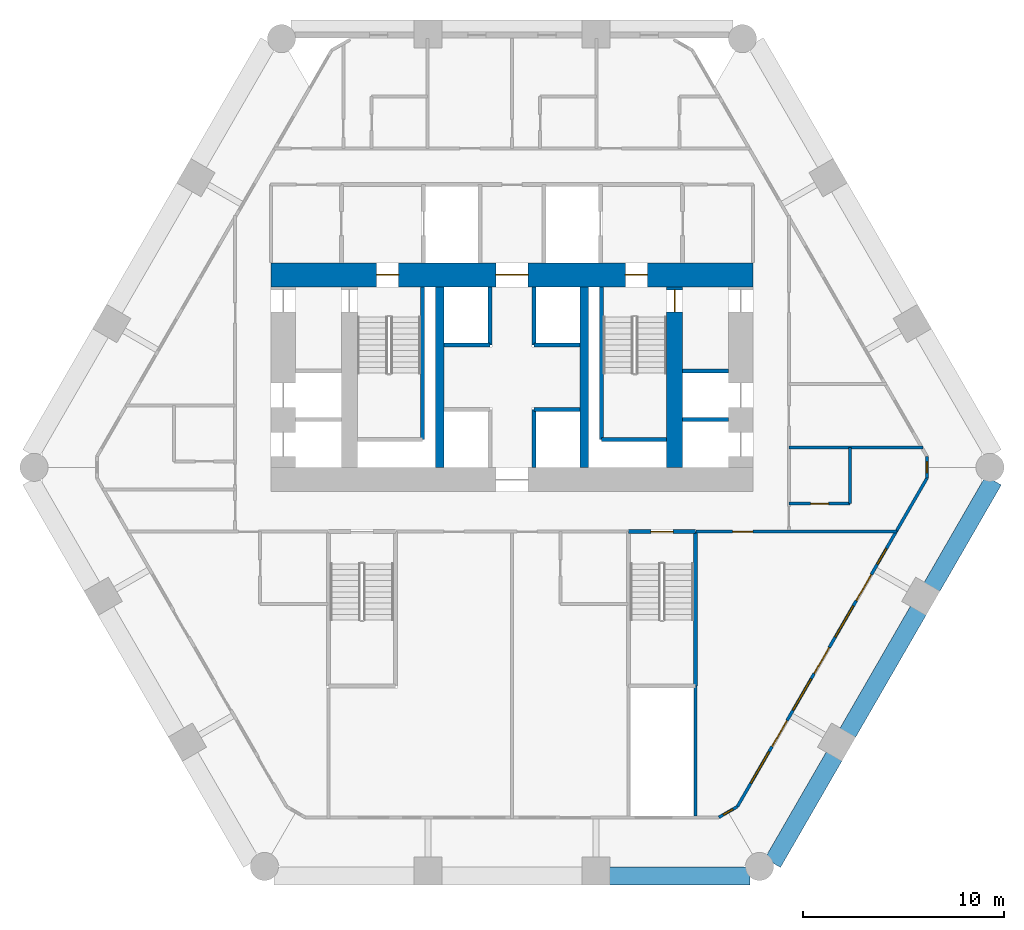
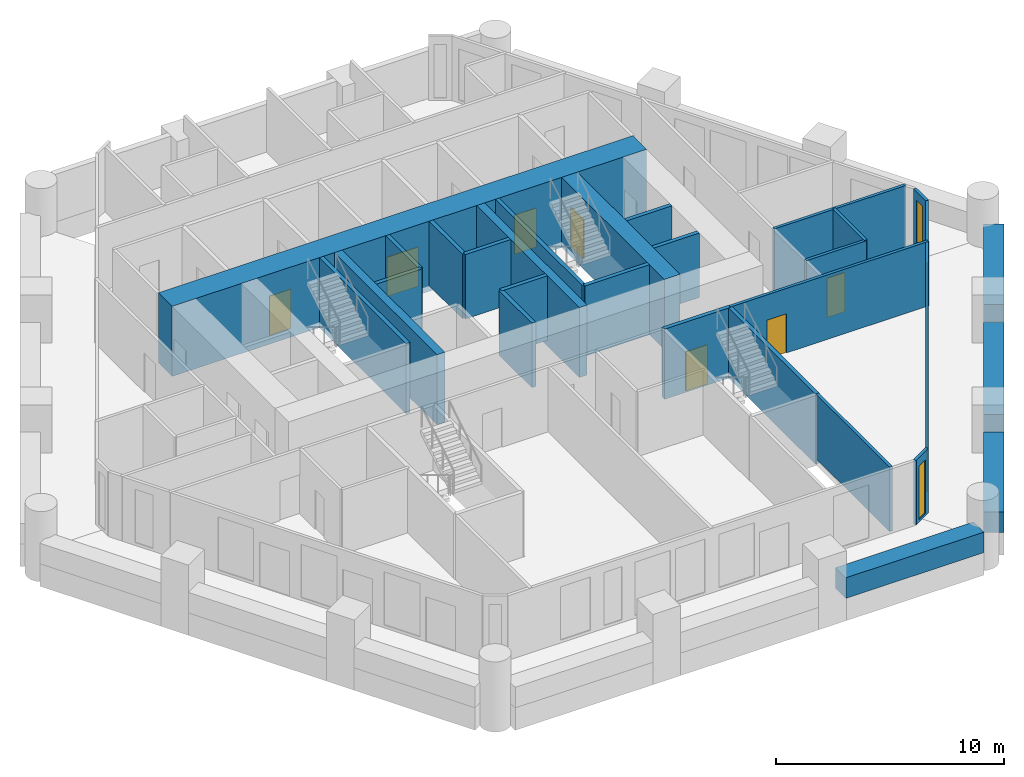
# One storey, part 4 of 8: 29 walls, 10 doors, 6 windows, 16 openings.
"""IFC4 building model written with IfcOpenShell, lengths in metres."""

import ifcopenshell
import ifcopenshell.guid

model = None  # the IFC model being written
_history = None  # IfcOwnerHistory: only IFC2X3 demands one
_inside = {}  # id of a spatial element -> (the spatial element, [elements in it])
_under = {}  # id of a project, library or spatial element -> (it, [spatial elements below it])
_declared = {}  # id of a project -> (the project, [libraries it declares])
_typed = {}  # id of a type object -> (the type object, [elements of that type])
_made_of = {}  # id of a material, layer set ... -> (it, [elements and type objects made of it])


def new_model(schema):
    """Start an empty IFC model of exactly this schema.

    Asked for "IFC4X3", IfcOpenShell would pick the latest addendum, in which some entities
    have other attributes; the version numbers below select the first issue.
    IFC2X3 requires an IfcOwnerHistory on every rooted entity: one is made here for all.
    """
    global model, _history
    if schema == "IFC4X3":
        model = ifcopenshell.file(schema_version=(4, 3, 0, 0))
    else:
        model = ifcopenshell.file(schema=schema)
    _inside.clear()
    _under.clear()
    _declared.clear()
    _typed.clear()
    _made_of.clear()
    _history = None
    if model.schema == "IFC2X3":
        org = make("IfcOrganization", Name="unknown")
        user = make(
            "IfcPersonAndOrganization",
            ThePerson=make("IfcPerson", FamilyName="unknown"),
            TheOrganization=org,
        )
        app = make(
            "IfcApplication",
            ApplicationDeveloper=org,
            Version="unknown",
            ApplicationFullName="unknown",
            ApplicationIdentifier="unknown",
        )
        _history = make(
            "IfcOwnerHistory",
            OwningUser=user,
            OwningApplication=app,
            ChangeAction="ADDED",
            CreationDate=0,
        )
    return model


def make(cls, **values):
    """One entity of the class cls with the attributes given. An attribute that is None is left unset."""
    return model.create_entity(
        cls, **{name: value for name, value in values.items() if value is not None}
    )


def rooted(cls, **values):
    """An entity with a GlobalId (a new one), such as an element, a storey or a relation."""
    return make(cls, GlobalId=ifcopenshell.guid.new(), OwnerHistory=_history, **values)


def si_unit(unit_type, name, prefix=None):
    """IfcSIUnit, for example si_unit("LENGTHUNIT", "METRE", prefix="MILLI")."""
    return make("IfcSIUnit", UnitType=unit_type, Prefix=prefix, Name=name)


def assignment(units):
    """IfcUnitAssignment: the units of a project."""
    return None if units is None else make("IfcUnitAssignment", Units=units)


def point(xyz):
    """IfcCartesianPoint."""
    return None if xyz is None else make("IfcCartesianPoint", Coordinates=xyz)


def direction(xyz):
    """IfcDirection."""
    return None if xyz is None else make("IfcDirection", DirectionRatios=xyz)


def frame(location, z_axis=None, x_axis=None):
    """IfcAxis2Placement3D, a coordinate frame: its origin and axes. An axis left out is left unset."""
    return make(
        "IfcAxis2Placement3D",
        Location=point(location),
        Axis=direction(z_axis),
        RefDirection=direction(x_axis),
    )


def frame_2d(location, x_axis=None):
    """IfcAxis2Placement2D, a coordinate frame in the plane: its origin and x axis."""
    return make(
        "IfcAxis2Placement2D", Location=point(location), RefDirection=direction(x_axis)
    )


def origin():
    """The frame at (0, 0, 0) with its axes left unset."""
    return frame((0.0, 0.0, 0.0))


def place(relative_to, where):
    """IfcLocalPlacement: puts the frame where relative to a parent placement (None: the world)."""
    return make(
        "IfcLocalPlacement", PlacementRelTo=relative_to, RelativePlacement=where
    )


def context(
    kind, dimensions, precision=None, world=None, true_north=None, identifier=None
):
    """IfcGeometricRepresentationContext, for example the 3D "Model" context."""
    return make(
        "IfcGeometricRepresentationContext",
        ContextIdentifier=identifier,
        ContextType=kind,
        CoordinateSpaceDimension=dimensions,
        Precision=precision,
        WorldCoordinateSystem=world,
        TrueNorth=true_north,
    )


def subcontext(parent, identifier, kind, view, scale=None):
    """IfcGeometricRepresentationSubContext, for example "Body" below "Model"."""
    return make(
        "IfcGeometricRepresentationSubContext",
        ContextIdentifier=identifier,
        ContextType=kind,
        ParentContext=parent,
        TargetScale=scale,
        TargetView=view,
    )


def project(units=None, contexts=None):
    """IfcProject with its units and contexts."""
    return rooted(
        "IfcProject",
        Name="project",
        RepresentationContexts=contexts,
        UnitsInContext=assignment(units),
    )


def spatial(cls, under=None, at=None, **own):
    """A site, building, storey or space (cls), placed at a placement, below another one or the project."""
    s = rooted(cls, ObjectPlacement=at, **own)
    if under is not None:
        _under.setdefault(under.id(), (under, []))[1].append(s)
    return s


def profile(cls, at=None, kind="AREA", **sizes):
    """A parametric profile (cls). Its sizes go by their IFC names, for example OverallWidth=200.0."""
    return make(cls, ProfileType=kind, Position=at, **sizes)


def rectangle(**sizes):
    """IfcRectangleProfileDef."""
    return profile("IfcRectangleProfileDef", **sizes)


def extrude(swept, where, along, depth):
    """IfcExtrudedAreaSolid: the profile swept, set in the frame where, extruded along a direction by depth."""
    return make(
        "IfcExtrudedAreaSolid",
        SweptArea=swept,
        Position=where,
        ExtrudedDirection=direction(along),
        Depth=depth,
    )


def shape(context_of_items, identifier, shape_type, items):
    """IfcShapeRepresentation: the items that make up one representation, for example the "Body"."""
    return make(
        "IfcShapeRepresentation",
        ContextOfItems=context_of_items,
        RepresentationIdentifier=identifier,
        RepresentationType=shape_type,
        Items=items,
    )


def material(Name=None, Category=None):
    """IfcMaterial."""
    return make("IfcMaterial", Name=Name, Category=Category)


def layer(
    of_material, thickness, ventilated=None, Name=None, Category=None, Priority=None
):
    """IfcMaterialLayer: one layer of a wall or slab, of a material (None: an air gap)."""
    return make(
        "IfcMaterialLayer",
        Material=of_material,
        LayerThickness=thickness,
        IsVentilated=ventilated,
        Name=Name,
        Category=Category,
        Priority=Priority,
    )


def layer_set(layers, Name=None):
    """IfcMaterialLayerSet."""
    return make("IfcMaterialLayerSet", MaterialLayers=layers, LayerSetName=Name)


def made_of(thing, what):
    """Note that an element or type object is made of a material, layer set ...; save() writes the relation."""
    if what is not None:
        _made_of.setdefault(what.id(), (what, []))[1].append(thing)
    return thing


def type_object(cls, material=None, **own):
    """A type object (cls), such as IfcWallType, which elements share."""
    return made_of(rooted(cls, **own), material)


def element(
    cls,
    number,
    at=None,
    inside=None,
    cuts=None,
    type_object=None,
    material=None,
    context=None,
    identifier="Body",
    shape_type=None,
    held_by="IfcProductDefinitionShape",
    body=None,
    shapes=None,
    **own,
):
    """One element of the class cls, such as IfcWall. Its Tag is "e" and its number.

    at: its placement. inside: the storey or other place that contains it. cuts: it is an
    opening in that element (IfcRelVoidsElement). A single representation is given by context,
    identifier, shape_type and body (its items); several are given by shapes. held_by: the class
    of the entity that holds the representations. save() writes the other relations.
    """
    e = rooted(cls, Tag="e%d" % number, ObjectPlacement=at, **own)
    if body is not None:
        shapes = [shape(context, identifier, shape_type, body)]
    if shapes is not None:
        e.Representation = make(held_by, Representations=shapes)
    if inside is not None:
        _inside.setdefault(inside.id(), (inside, []))[1].append(e)
    if cuts is not None:
        rooted(
            "IfcRelVoidsElement", RelatingBuildingElement=cuts, RelatedOpeningElement=e
        )
    if type_object is not None:
        _typed.setdefault(type_object.id(), (type_object, []))[1].append(e)
    return made_of(e, material)


def fill(opening, filler):
    """IfcRelFillsElement: the door or window that sits in an opening."""
    return rooted(
        "IfcRelFillsElement",
        RelatingOpeningElement=opening,
        RelatedBuildingElement=filler,
    )


def aggregate(whole, parts):
    """IfcRelAggregates: a whole, such as a stair, and the parts it consists of."""
    return rooted("IfcRelAggregates", RelatingObject=whole, RelatedObjects=parts)


def save(model, path):
    """Write the relations noted so far, then the file.

    IfcRelAggregates (storeys below a building ...), IfcRelContainedInSpatialStructure (elements
    in a storey), IfcRelDefinesByType, IfcRelAssociatesMaterial and IfcRelDeclares: one each for
    every whole, place, type object, material and project.
    """
    for whole, parts in _under.values():
        aggregate(whole, parts)
    for where, things in _inside.values():
        rooted(
            "IfcRelContainedInSpatialStructure",
            RelatedElements=things,
            RelatingStructure=where,
        )
    for kind, things in _typed.values():
        rooted("IfcRelDefinesByType", RelatedObjects=things, RelatingType=kind)
    for what, things in _made_of.values():
        rooted("IfcRelAssociatesMaterial", RelatedObjects=things, RelatingMaterial=what)
    for by, libraries in _declared.values():
        rooted("IfcRelDeclares", RelatingContext=by, RelatedDefinitions=libraries)
    model.write(path)


model = new_model("IFC4")

# Units and contexts
model_context = context("Model", 3, precision=1e-05, world=origin(), true_north=direction((0.0, 1.0)))
body_context = subcontext(model_context, "Body", "Model", "MODEL_VIEW")
ifc_project = project(units=[si_unit("LENGTHUNIT", "METRE"), si_unit("AREAUNIT", "SQUARE_METRE"), si_unit("VOLUMEUNIT", "CUBIC_METRE"), si_unit("PLANEANGLEUNIT", "RADIAN"), si_unit("MASSUNIT", "GRAM", prefix="KILO")], contexts=[model_context])

# Site, building, storey
site_placement = place(None, origin())
site = spatial("IfcSite", under=ifc_project, at=site_placement, CompositionType="ELEMENT")
building_placement = place(site_placement, origin())
building = spatial("IfcBuilding", under=site, at=building_placement, Name="Ostrander Bayou Hotel Tower", CompositionType="ELEMENT")
storey_placement = place(building_placement, frame((0.0, 0.0, 54.25)))
storey = spatial("IfcBuildingStorey", under=building, at=storey_placement, Name="L13", CompositionType="ELEMENT", Elevation=54.25)

# Wall, openings, doors
ifc_material_1 = material(Name="Concrete f'c 70 MPa", Category="concrete")
ifc_layer_1 = layer(ifc_material_1, 1.199951171875)
ifc_layer_set_1 = layer_set([ifc_layer_1], Name="CW1 core wall 1200 mm f'c 70 MPa")
wall_type_1 = type_object("IfcWallType", Name="CW1 core wall 1200 mm f'c 70 MPa", PredefinedType="SHEAR", material=ifc_layer_set_1)
wall_1_placement = place(storey_placement, frame((-12.0, 9.10009765625, -0.300048828125), z_axis=(0.0, 0.0, 1.0), x_axis=(1.0, 0.0, 0.0)))
wall_1 = element("IfcWall", 1, at=wall_1_placement, inside=storey, type_object=wall_type_1, Name="CW1 L13 N", PredefinedType="SHEAR", context=body_context, shape_type="SweptSolid", body=[
    extrude(rectangle(XDim=24.0, YDim=1.199951171875, at=frame_2d((12.0, 0.0))), origin(), (0.0, 0.0, 1.0), 3.75),
])
opening_1_placement = place(wall_1_placement, frame((11.199951171875, 0.0, 0.0)))
opening_1 = element("IfcOpeningElement", 2, at=opening_1_placement, cuts=wall_1, Name="Opening T12-002", PredefinedType="OPENING", context=body_context, shape_type="SweptSolid", body=[
    extrude(rectangle(XDim=1.60009765625, YDim=2.10009765625, at=frame_2d((0.800048828125, 1.050048828125))), frame((0.0, 0.60009765625, 0.0), z_axis=(0.0, -1.0, 0.0), x_axis=(1.0, 0.0, 0.0)), (0.0, 0.0, 1.0), 1.199951171875),
])
opening_2_placement = place(wall_1_placement, frame((5.25, 0.0, 0.0)))
opening_2 = element("IfcOpeningElement", 3, at=opening_2_placement, cuts=wall_1, Name="Opening T12-003", PredefinedType="OPENING", context=body_context, shape_type="SweptSolid", body=[
    extrude(rectangle(XDim=1.10009765625, YDim=2.10009765625, at=frame_2d((0.550048828125, 1.050048828125))), frame((0.0, 0.60009765625, 0.0), z_axis=(0.0, -1.0, 0.0), x_axis=(1.0, 0.0, 0.0)), (0.0, 0.0, 1.0), 1.199951171875),
])
opening_3_placement = place(wall_1_placement, frame((17.64990234375, 0.0, 0.0)))
opening_3 = element("IfcOpeningElement", 4, at=opening_3_placement, cuts=wall_1, Name="Opening T12-005", PredefinedType="OPENING", context=body_context, shape_type="SweptSolid", body=[
    extrude(rectangle(XDim=1.10009765625, YDim=2.10009765625, at=frame_2d((0.550048828125, 1.050048828125))), frame((0.0, 0.60009765625, 0.0), z_axis=(0.0, -1.0, 0.0), x_axis=(1.0, 0.0, 0.0)), (0.0, 0.0, 1.0), 1.199951171875),
])
ifc_material_2 = material(Name="Timber door leaf", Category="wood")
door_type_1 = type_object("IfcDoorType", Name="D13 double door 1600 x 2100 mm, 1 hour", OperationType="SINGLE_SWING_LEFT", PredefinedType="DOOR", material=ifc_material_2)
door_1_placement = place(opening_1_placement, origin())
door_1 = element("IfcDoor", 5, at=door_1_placement, inside=storey, type_object=door_type_1, Name="dr:L13:002", OperationType="DOUBLE_DOOR_SINGLE_SWING", OverallHeight=2.10009765625, OverallWidth=1.60009765625, PredefinedType="DOOR", context=body_context, shape_type="SweptSolid", body=[
    extrude(rectangle(XDim=1.60009765625, YDim=2.10009765625, at=frame_2d((0.800048828125, 1.050048828125))), frame((0.0, 0.02490234375, 0.0), z_axis=(0.0, -1.0, 0.0), x_axis=(1.0, 0.0, 0.0)), (0.0, 0.0, 1.0), 0.050048828125),
])
fill(opening_1, door_1)
ifc_material_3 = material(Name="Timber door leaf", Category="wood")
door_type_2 = type_object("IfcDoorType", Name="D5 stair door 1100 x 2100 mm, 90 minute", OperationType="SINGLE_SWING_LEFT", PredefinedType="DOOR", material=ifc_material_3)
door_2_placement = place(opening_2_placement, origin())
door_2 = element("IfcDoor", 6, at=door_2_placement, inside=storey, type_object=door_type_2, Name="dr:L13:003", OperationType="SINGLE_SWING_LEFT", OverallHeight=2.10009765625, OverallWidth=1.10009765625, PredefinedType="DOOR", context=body_context, shape_type="SweptSolid", body=[
    extrude(rectangle(XDim=1.10009765625, YDim=2.10009765625, at=frame_2d((0.550048828125, 1.050048828125))), frame((0.0, 0.02490234375, 0.0), z_axis=(0.0, -1.0, 0.0), x_axis=(1.0, 0.0, 0.0)), (0.0, 0.0, 1.0), 0.050048828125),
])
fill(opening_2, door_2)
door_3_placement = place(opening_3_placement, origin())
door_3 = element("IfcDoor", 7, at=door_3_placement, inside=storey, type_object=door_type_2, Name="dr:L13:005", OperationType="SINGLE_SWING_RIGHT", OverallHeight=2.10009765625, OverallWidth=1.10009765625, PredefinedType="DOOR", context=body_context, shape_type="SweptSolid", body=[
    extrude(rectangle(XDim=1.10009765625, YDim=2.10009765625, at=frame_2d((0.550048828125, 1.050048828125))), frame((0.0, 0.02490234375, 0.0), z_axis=(0.0, -1.0, 0.0), x_axis=(1.0, 0.0, 0.0)), (0.0, 0.0, 1.0), 0.050048828125),
])
fill(opening_3, door_3)

# Wall, opening, door
ifc_material_4 = material(Name="Concrete f'c 70 MPa", Category="concrete")
ifc_layer_2 = layer(ifc_material_4, 0.800048828125)
ifc_layer_set_2 = layer_set([ifc_layer_2], Name="CW2 core spine wall 800 mm f'c 70 MPa")
wall_type_2 = type_object("IfcWallType", Name="CW2 core spine wall 800 mm f'c 70 MPa", PredefinedType="SHEAR", material=ifc_layer_set_2)
wall_2_placement = place(storey_placement, frame((8.10009765625, -0.5, -0.300048828125), z_axis=(0.0, 0.0, 1.0), x_axis=(0.0, 1.0, 0.0)))
wall_2 = element("IfcWall", 8, at=wall_2_placement, inside=storey, type_object=wall_type_2, Name="CW2 L13 E", PredefinedType="SHEAR", context=body_context, shape_type="SweptSolid", body=[
    extrude(rectangle(XDim=9.0, YDim=0.800048828125, at=frame_2d((4.5, 0.0))), origin(), (0.0, 0.0, 1.0), 3.75),
])
opening_4_placement = place(wall_2_placement, frame((7.75, 0.0, 0.0)))
opening_4 = element("IfcOpeningElement", 9, at=opening_4_placement, cuts=wall_2, Name="Opening T12-006", PredefinedType="OPENING", context=body_context, shape_type="SweptSolid", body=[
    extrude(rectangle(XDim=1.10009765625, YDim=2.10009765625, at=frame_2d((0.550048828125, 1.050048828125))), frame((0.0, 0.39990234375, 0.0), z_axis=(0.0, -1.0, 0.0), x_axis=(1.0, 0.0, 0.0)), (0.0, 0.0, 1.0), 0.800048828125),
])
door_4_placement = place(opening_4_placement, origin())
door_4 = element("IfcDoor", 10, at=door_4_placement, inside=storey, type_object=door_type_2, Name="dr:L13:006", OperationType="SINGLE_SWING_LEFT", OverallHeight=2.10009765625, OverallWidth=1.10009765625, PredefinedType="DOOR", context=body_context, shape_type="SweptSolid", body=[
    extrude(rectangle(XDim=1.10009765625, YDim=2.10009765625, at=frame_2d((0.550048828125, 1.050048828125))), frame((0.0, 0.02490234375, 0.0), z_axis=(0.0, -1.0, 0.0), x_axis=(1.0, 0.0, 0.0)), (0.0, 0.0, 1.0), 0.050048828125),
])
fill(opening_4, door_4)

# Walls
ifc_material_5 = material(Name="Concrete f'c 70 MPa", Category="concrete")
ifc_layer_3 = layer(ifc_material_5, 0.39990234375)
ifc_layer_set_3 = layer_set([ifc_layer_3], Name="CW3 core bank wall 400 mm f'c 70 MPa")
wall_type_3 = type_object("IfcWallType", Name="CW3 core bank wall 400 mm f'c 70 MPa", PredefinedType="SHEAR", material=ifc_layer_set_3)
for number, where, z_axis, x_axis, name in (
    (11, (-3.60009765625, -0.5, -0.300048828125), (0.0, 0.0, 1.0), (0.0, 1.0, 0.0), "CW3 L13 CW"),
    (12, (3.60009765625, -0.5, -0.300048828125), (0.0, 0.0, 1.0), (0.0, 1.0, 0.0), "CW3 L13 CE"),
):
    element("IfcWall", number, at=place(storey_placement, frame(where, z_axis=z_axis, x_axis=x_axis)), inside=storey, type_object=wall_type_3, Name=name, PredefinedType="SHEAR", context=body_context, shape_type="SweptSolid", body=[
        extrude(rectangle(XDim=9.0, YDim=0.39990234375, at=frame_2d((4.5, 0.0))), origin(), (0.0, 0.0, 1.0), 3.75),
    ])

# Wall, openings, doors, windows
ifc_material_6 = material(Name="Aluminium framed insulated wall", Category="aluminium")
ifc_layer_4 = layer(ifc_material_6, 0.14990234375)
ifc_layer_set_4 = layer_set([ifc_layer_4], Name="GW1 glass-line wall 150 mm")
wall_type_4 = type_object("IfcWallType", Name="GW1 glass-line wall 150 mm", PredefinedType="SOLIDWALL", material=ifc_layer_set_4)
wall_3_placement = place(storey_placement, frame((11.228515625, -17.401611328125, 0.0), z_axis=(0.0, 0.0, 1.0), x_axis=(0.500004426522, 0.866022848116, 0.0)))
wall_3 = element("IfcWall", 13, at=wall_3_placement, inside=storey, type_object=wall_type_4, Name="GW1 L13 SE 1", PredefinedType="SOLIDWALL", context=body_context, shape_type="SweptSolid", body=[
    extrude(rectangle(XDim=18.911865234375, YDim=0.14990234375, at=frame_2d((9.4560546875, 0.0))), origin(), (0.0, 0.0, 1.0), 3.449951171875),
])
opening_5_placement = place(wall_3_placement, frame((1.35595703125, 0.0, 0.14990234375)))
opening_5 = element("IfcOpeningElement", 14, at=opening_5_placement, cuts=wall_3, Name="Opening W1", PredefinedType="OPENING", context=body_context, shape_type="SweptSolid", body=[
    extrude(rectangle(XDim=1.800048828125, YDim=2.85009765625, at=frame_2d((0.89990234375, 1.425048828125))), frame((0.0, 0.074951171875, 0.0), z_axis=(0.0, -1.0, 0.0), x_axis=(1.0, 0.0, 0.0)), (0.0, 0.0, 1.0), 0.14990234375),
])
opening_6_placement = place(wall_3_placement, frame((3.455810546875, 0.0, 0.0)))
opening_6 = element("IfcOpeningElement", 15, at=opening_6_placement, cuts=wall_3, Name="Opening T12-804", PredefinedType="OPENING", context=body_context, shape_type="SweptSolid", body=[
    extrude(rectangle(XDim=1.5, YDim=2.39990234375, at=frame_2d((0.75, 1.199951171875))), frame((0.0, 0.074951171875, 0.0), z_axis=(0.0, -1.0, 0.0), x_axis=(1.0, 0.0, 0.0)), (0.0, 0.0, 1.0), 0.14990234375),
])
opening_7_placement = place(wall_3_placement, frame((5.555908203125, 0.0, 0.14990234375)))
opening_7 = element("IfcOpeningElement", 16, at=opening_7_placement, cuts=wall_3, Name="Opening W1", PredefinedType="OPENING", context=body_context, shape_type="SweptSolid", body=[
    extrude(rectangle(XDim=1.800048828125, YDim=2.85009765625, at=frame_2d((0.89990234375, 1.425048828125))), frame((0.0, 0.074951171875, 0.0), z_axis=(0.0, -1.0, 0.0), x_axis=(1.0, 0.0, 0.0)), (0.0, 0.0, 1.0), 0.14990234375),
])
opening_8_placement = place(wall_3_placement, frame((7.656005859375, 0.0, 0.0)))
opening_8 = element("IfcOpeningElement", 17, at=opening_8_placement, cuts=wall_3, Name="Opening T12-805", PredefinedType="OPENING", context=body_context, shape_type="SweptSolid", body=[
    extrude(rectangle(XDim=1.5, YDim=2.39990234375, at=frame_2d((0.75, 1.199951171875))), frame((0.0, 0.074951171875, 0.0), z_axis=(0.0, -1.0, 0.0), x_axis=(1.0, 0.0, 0.0)), (0.0, 0.0, 1.0), 0.14990234375),
])
opening_9_placement = place(wall_3_placement, frame((9.755859375, 0.0, 0.14990234375)))
opening_9 = element("IfcOpeningElement", 18, at=opening_9_placement, cuts=wall_3, Name="Opening W1", PredefinedType="OPENING", context=body_context, shape_type="SweptSolid", body=[
    extrude(rectangle(XDim=1.800048828125, YDim=2.85009765625, at=frame_2d((0.89990234375, 1.425048828125))), frame((0.0, 0.074951171875, 0.0), z_axis=(0.0, -1.0, 0.0), x_axis=(1.0, 0.0, 0.0)), (0.0, 0.0, 1.0), 0.14990234375),
])
opening_10_placement = place(wall_3_placement, frame((11.85595703125, 0.0, 0.0)))
opening_10 = element("IfcOpeningElement", 19, at=opening_10_placement, cuts=wall_3, Name="Opening T12-806", PredefinedType="OPENING", context=body_context, shape_type="SweptSolid", body=[
    extrude(rectangle(XDim=1.5, YDim=2.39990234375, at=frame_2d((0.75, 1.199951171875))), frame((0.0, 0.074951171875, 0.0), z_axis=(0.0, -1.0, 0.0), x_axis=(1.0, 0.0, 0.0)), (0.0, 0.0, 1.0), 0.14990234375),
])
opening_11_placement = place(wall_3_placement, frame((13.955810546875, 0.0, 0.14990234375)))
opening_11 = element("IfcOpeningElement", 20, at=opening_11_placement, cuts=wall_3, Name="Opening W15", PredefinedType="OPENING", context=body_context, shape_type="SweptSolid", body=[
    extrude(rectangle(XDim=0.89990234375, YDim=2.85009765625, at=frame_2d((0.449951171875, 1.425048828125))), frame((0.0, 0.074951171875, 0.0), z_axis=(0.0, -1.0, 0.0), x_axis=(1.0, 0.0, 0.0)), (0.0, 0.0, 1.0), 0.14990234375),
])
ifc_material_7 = material(Name="Aluminium and clear glass", Category="aluminium")
door_type_3 = type_object("IfcDoorType", Name="SD1 sliding glass door 1500 mm, zone 1", OperationType="SLIDING_TO_LEFT", PredefinedType="DOOR", material=ifc_material_7)
door_5_placement = place(opening_6_placement, origin())
door_5 = element("IfcDoor", 21, at=door_5_placement, inside=storey, type_object=door_type_3, Name="SD1 L13 SE 1", OperationType="SLIDING_TO_LEFT", OverallHeight=2.39990234375, OverallWidth=1.5, PredefinedType="DOOR", context=body_context, shape_type="SweptSolid", body=[
    extrude(rectangle(XDim=1.5, YDim=2.39990234375, at=frame_2d((0.75, 1.199951171875))), frame((0.0, 0.02490234375, 0.0), z_axis=(0.0, -1.0, 0.0), x_axis=(1.0, 0.0, 0.0)), (0.0, 0.0, 1.0), 0.050048828125),
])
fill(opening_6, door_5)
door_6_placement = place(opening_8_placement, origin())
door_6 = element("IfcDoor", 22, at=door_6_placement, inside=storey, type_object=door_type_3, Name="SD1 L13 SE 2", OperationType="SLIDING_TO_RIGHT", OverallHeight=2.39990234375, OverallWidth=1.5, PredefinedType="DOOR", context=body_context, shape_type="SweptSolid", body=[
    extrude(rectangle(XDim=1.5, YDim=2.39990234375, at=frame_2d((0.75, 1.199951171875))), frame((0.0, 0.02490234375, 0.0), z_axis=(0.0, -1.0, 0.0), x_axis=(1.0, 0.0, 0.0)), (0.0, 0.0, 1.0), 0.050048828125),
])
fill(opening_8, door_6)
door_7_placement = place(opening_10_placement, origin())
door_7 = element("IfcDoor", 23, at=door_7_placement, inside=storey, type_object=door_type_3, Name="SD1 L13 SE 3", OperationType="SLIDING_TO_LEFT", OverallHeight=2.39990234375, OverallWidth=1.5, PredefinedType="DOOR", context=body_context, shape_type="SweptSolid", body=[
    extrude(rectangle(XDim=1.5, YDim=2.39990234375, at=frame_2d((0.75, 1.199951171875))), frame((0.0, 0.02490234375, 0.0), z_axis=(0.0, -1.0, 0.0), x_axis=(1.0, 0.0, 0.0)), (0.0, 0.0, 1.0), 0.050048828125),
])
fill(opening_10, door_7)
ifc_material_8 = material(Name="Aluminium and clear glass", Category="aluminium")
window_type_1 = type_object("IfcWindowType", Name="W1 fixed window 1800 mm, zone 1", PartitioningType="SINGLE_PANEL", PredefinedType="WINDOW", material=ifc_material_8)
window_1_placement = place(opening_5_placement, origin())
window_1 = element("IfcWindow", 24, at=window_1_placement, inside=storey, type_object=window_type_1, Name="W1 L13 SE 1", OverallHeight=2.85009765625, OverallWidth=1.800048828125, PartitioningType="SINGLE_PANEL", PredefinedType="WINDOW", context=body_context, shape_type="SweptSolid", body=[
    extrude(rectangle(XDim=1.800048828125, YDim=2.85009765625, at=frame_2d((0.89990234375, 1.425048828125))), frame((0.0, 0.030029296875, 0.0), z_axis=(0.0, -1.0, 0.0), x_axis=(1.0, 0.0, 0.0)), (0.0, 0.0, 1.0), 0.06005859375),
])
fill(opening_5, window_1)
window_2_placement = place(opening_7_placement, origin())
window_2 = element("IfcWindow", 25, at=window_2_placement, inside=storey, type_object=window_type_1, Name="W1 L13 SE 2", OverallHeight=2.85009765625, OverallWidth=1.800048828125, PartitioningType="SINGLE_PANEL", PredefinedType="WINDOW", context=body_context, shape_type="SweptSolid", body=[
    extrude(rectangle(XDim=1.800048828125, YDim=2.85009765625, at=frame_2d((0.89990234375, 1.425048828125))), frame((0.0, 0.030029296875, 0.0), z_axis=(0.0, -1.0, 0.0), x_axis=(1.0, 0.0, 0.0)), (0.0, 0.0, 1.0), 0.06005859375),
])
fill(opening_7, window_2)
window_3_placement = place(opening_9_placement, origin())
window_3 = element("IfcWindow", 26, at=window_3_placement, inside=storey, type_object=window_type_1, Name="W1 L13 SE 3", OverallHeight=2.85009765625, OverallWidth=1.800048828125, PartitioningType="SINGLE_PANEL", PredefinedType="WINDOW", context=body_context, shape_type="SweptSolid", body=[
    extrude(rectangle(XDim=1.800048828125, YDim=2.85009765625, at=frame_2d((0.89990234375, 1.425048828125))), frame((0.0, 0.030029296875, 0.0), z_axis=(0.0, -1.0, 0.0), x_axis=(1.0, 0.0, 0.0)), (0.0, 0.0, 1.0), 0.06005859375),
])
fill(opening_9, window_3)
ifc_material_9 = material(Name="Aluminium and clear glass", Category="aluminium")
window_type_2 = type_object("IfcWindowType", Name="W15 window 900 mm, zone 1", PartitioningType="SINGLE_PANEL", PredefinedType="WINDOW", material=ifc_material_9)
window_4_placement = place(opening_11_placement, origin())
window_4 = element("IfcWindow", 27, at=window_4_placement, inside=storey, type_object=window_type_2, Name="W15 L13 SE 4", OverallHeight=2.85009765625, OverallWidth=0.89990234375, PartitioningType="SINGLE_PANEL", PredefinedType="WINDOW", context=body_context, shape_type="SweptSolid", body=[
    extrude(rectangle(XDim=0.89990234375, YDim=2.85009765625, at=frame_2d((0.449951171875, 1.425048828125))), frame((0.0, 0.030029296875, 0.0), z_axis=(0.0, -1.0, 0.0), x_axis=(1.0, 0.0, 0.0)), (0.0, 0.0, 1.0), 0.06005859375),
])
fill(opening_11, window_4)

# Wall, opening, window
wall_4_placement = place(storey_placement, frame((10.306396484375, -17.93408203125, 0.0), z_axis=(0.0, 0.0, 1.0), x_axis=(0.865990848561, 0.500059846627, 0.0)))
wall_4 = element("IfcWall", 28, at=wall_4_placement, inside=storey, type_object=wall_type_4, Name="GW1 L13 corner 4", PredefinedType="SOLIDWALL", context=body_context, shape_type="SweptSolid", body=[
    extrude(rectangle(XDim=1.064697265625, YDim=0.14990234375, at=frame_2d((0.5322265625, 0.0))), origin(), (0.0, 0.0, 1.0), 3.449951171875),
])
opening_12_placement = place(wall_4_placement, frame((0.257568359375, 0.0, 0.14990234375)))
opening_12 = element("IfcOpeningElement", 29, at=opening_12_placement, cuts=wall_4, Name="Opening W19", PredefinedType="OPENING", context=body_context, shape_type="SweptSolid", body=[
    extrude(rectangle(XDim=0.550048828125, YDim=2.85009765625, at=frame_2d((0.27490234375, 1.425048828125))), frame((0.0, 0.074951171875, 0.0), z_axis=(0.0, -1.0, 0.0), x_axis=(1.0, 0.0, 0.0)), (0.0, 0.0, 1.0), 0.14990234375),
])
ifc_material_10 = material(Name="Aluminium and clear glass", Category="aluminium")
window_type_3 = type_object("IfcWindowType", Name="W19 corner window 550 mm", PartitioningType="SINGLE_PANEL", PredefinedType="WINDOW", material=ifc_material_10)
window_5_placement = place(opening_12_placement, origin())
window_5 = element("IfcWindow", 30, at=window_5_placement, inside=storey, type_object=window_type_3, Name="W19 L13 corner 4", OverallHeight=2.85009765625, OverallWidth=0.550048828125, PartitioningType="SINGLE_PANEL", PredefinedType="WINDOW", context=body_context, shape_type="SweptSolid", body=[
    extrude(rectangle(XDim=0.550048828125, YDim=2.85009765625, at=frame_2d((0.27490234375, 1.425048828125))), frame((0.0, 0.030029296875, 0.0), z_axis=(0.0, -1.0, 0.0), x_axis=(1.0, 0.0, 0.0)), (0.0, 0.0, 1.0), 0.06005859375),
])
fill(opening_12, window_5)

wall_5_placement = place(storey_placement, frame((20.6845703125, -1.0234375, 0.0), z_axis=(0.0, 0.0, 1.0), x_axis=(0.0, 1.0, 0.0)))
wall_5 = element("IfcWall", 31, at=wall_5_placement, inside=storey, type_object=wall_type_4, Name="GW1 L13 corner 5", PredefinedType="SOLIDWALL", context=body_context, shape_type="SweptSolid", body=[
    extrude(rectangle(XDim=1.06494140625, YDim=0.14990234375, at=frame_2d((0.532470703125, 0.0))), origin(), (0.0, 0.0, 1.0), 3.449951171875),
])
opening_13_placement = place(wall_5_placement, frame((0.257568359375, 0.0, 0.14990234375)))
opening_13 = element("IfcOpeningElement", 32, at=opening_13_placement, cuts=wall_5, Name="Opening W19", PredefinedType="OPENING", context=body_context, shape_type="SweptSolid", body=[
    extrude(rectangle(XDim=0.550048828125, YDim=2.85009765625, at=frame_2d((0.27490234375, 1.425048828125))), frame((0.0, 0.074951171875, 0.0), z_axis=(0.0, -1.0, 0.0), x_axis=(1.0, 0.0, 0.0)), (0.0, 0.0, 1.0), 0.14990234375),
])
window_6_placement = place(opening_13_placement, origin())
window_6 = element("IfcWindow", 33, at=window_6_placement, inside=storey, type_object=window_type_3, Name="W19 L13 corner 5", OverallHeight=2.85009765625, OverallWidth=0.550048828125, PartitioningType="SINGLE_PANEL", PredefinedType="WINDOW", context=body_context, shape_type="SweptSolid", body=[
    extrude(rectangle(XDim=0.550048828125, YDim=2.85009765625, at=frame_2d((0.27490234375, 1.425048828125))), frame((0.0, 0.030029296875, 0.0), z_axis=(0.0, -1.0, 0.0), x_axis=(1.0, 0.0, 0.0)), (0.0, 0.0, 1.0), 0.06005859375),
])
fill(opening_13, window_6)

# Walls
ifc_material_11 = material(Name="Concrete f'c 40 MPa", Category="concrete")
ifc_layer_5 = layer(ifc_material_11, 0.89990234375)
ifc_layer_set_5 = layer_set([ifc_layer_5], Name="PA1 stone-faced parapet 900 mm")
wall_type_5 = type_object("IfcWallType", Name="PA1 stone-faced parapet 900 mm", PredefinedType="PARAPET", material=ifc_layer_set_5)
wall_6_placement = place(storey_placement, frame((4.865478515625, -20.85888671875, 0.0), z_axis=(0.0, 0.0, 1.0), x_axis=(1.0, 0.0, 0.0)))
element("IfcWall", 34, at=wall_6_placement, inside=storey, type_object=wall_type_5, Name="PA1 L13 S-3", PredefinedType="PARAPET", context=body_context, shape_type="SweptSolid", body=[
    extrude(rectangle(XDim=6.98681640625, YDim=0.89990234375, at=frame_2d((3.493408203125, 0.0))), origin(), (0.0, 0.0, 1.0), 1.10009765625),
])
ifc_material_12 = material(Name="Limestone masonry", Category="masonry")
ifc_layer_6 = layer(ifc_material_12, 0.89990234375)
ifc_layer_set_6 = layer_set([ifc_layer_6], Name="PA2 limestone parapet 900 mm")
wall_type_6 = type_object("IfcWallType", Name="PA2 limestone parapet 900 mm", PredefinedType="PARAPET", material=ifc_layer_set_6)
wall_7_placement = place(storey_placement, frame((12.988525390625, -20.203125, 0.0), z_axis=(0.0, 0.0, 1.0), x_axis=(0.500007141444, 0.86602128063, 0.0)))
element("IfcWall", 35, at=wall_7_placement, inside=storey, type_object=wall_type_6, Name="PA2 L13 SE-1", PredefinedType="PARAPET", context=body_context, shape_type="SweptSolid", body=[
    extrude(rectangle(XDim=6.13671875, YDim=0.89990234375, at=frame_2d((3.068359375, 0.0))), origin(), (0.0, 0.0, 1.0), 1.10009765625),
])
wall_8_placement = place(storey_placement, frame((16.726806640625, -13.72802734375, 0.0), z_axis=(0.0, 0.0, 1.0), x_axis=(0.499997206141, 0.866027016814, 0.0)))
element("IfcWall", 36, at=wall_8_placement, inside=storey, type_object=wall_type_6, Name="PA2 L13 SE-2", PredefinedType="PARAPET", context=body_context, shape_type="SweptSolid", body=[
    extrude(rectangle(XDim=7.05078125, YDim=0.89990234375, at=frame_2d((3.525390625, 0.0))), origin(), (0.0, 0.0, 1.0), 1.10009765625),
])
wall_9_placement = place(storey_placement, frame((20.92236328125, -6.46142578125, 0.0), z_axis=(0.0, 0.0, 1.0), x_axis=(0.500007141444, 0.86602128063, 0.0)))
element("IfcWall", 37, at=wall_9_placement, inside=storey, type_object=wall_type_6, Name="PA2 L13 SE-3", PredefinedType="PARAPET", context=body_context, shape_type="SweptSolid", body=[
    extrude(rectangle(XDim=6.13671875, YDim=0.89990234375, at=frame_2d((3.068359375, 0.0))), origin(), (0.0, 0.0, 1.0), 1.10009765625),
])
ifc_material_13 = material(Name="Masonry block", Category="masonry")
ifc_layer_7 = layer(ifc_material_13, 0.199951171875)
ifc_layer_set_7 = layer_set([ifc_layer_7], Name="PT6 lift shaft wall 200 mm masonry, 2 hour")
wall_type_7 = type_object("IfcWallType", Name="PT6 lift shaft wall 200 mm masonry, 2 hour", PredefinedType="PARTITIONING", material=ifc_layer_set_7)
for number, where, z_axis, x_axis, name in (
    (38, (-3.39990234375, 5.60009765625, 0.0), (0.0, 0.0, 1.0), (1.0, 0.0, 0.0), "cs:L13:002"),
    (39, (1.10009765625, 2.39990234375, 0.0), (0.0, 0.0, 1.0), (1.0, 0.0, 0.0), "cs:L13:003"),
    (40, (1.10009765625, 5.60009765625, 0.0), (0.0, 0.0, 1.0), (1.0, 0.0, 0.0), "cs:L13:004"),
):
    element("IfcWall", number, at=place(storey_placement, frame(where, z_axis=z_axis, x_axis=x_axis)), inside=storey, type_object=wall_type_7, Name=name, PredefinedType="PARTITIONING", context=body_context, shape_type="SweptSolid", body=[
        extrude(rectangle(XDim=2.2998046875, YDim=0.199951171875, at=frame_2d((1.14990234375, 0.0))), origin(), (0.0, 0.0, 1.0), 3.449951171875),
    ])
for number, where, z_axis, x_axis, name in (
    (41, (1.10009765625, -0.5, 0.0), (0.0, 0.0, 1.0), (0.0, 1.0, 0.0), "cs:L13:006"),
    (42, (-1.10009765625, 5.60009765625, 0.0), (0.0, 0.0, 1.0), (0.0, 1.0, 0.0), "cs:L13:007"),
    (43, (1.10009765625, 5.60009765625, 0.0), (0.0, 0.0, 1.0), (0.0, 1.0, 0.0), "cs:L13:008"),
):
    element("IfcWall", number, at=place(storey_placement, frame(where, z_axis=z_axis, x_axis=x_axis)), inside=storey, type_object=wall_type_7, Name=name, PredefinedType="PARTITIONING", context=body_context, shape_type="SweptSolid", body=[
        extrude(rectangle(XDim=2.89990234375, YDim=0.199951171875, at=frame_2d((1.449951171875, 0.0))), origin(), (0.0, 0.0, 1.0), 3.449951171875),
    ])
for number, where, z_axis, x_axis, name in (
    (44, (8.5, 1.89990234375, 0.0), (0.0, 0.0, 1.0), (1.0, 0.0, 0.0), "cs:L13:032"),
    (45, (8.5, 4.300048828125, 0.0), (0.0, 0.0, 1.0), (1.0, 0.0, 0.0), "cs:L13:033"),
):
    element("IfcWall", number, at=place(storey_placement, frame(where, z_axis=z_axis, x_axis=x_axis)), inside=storey, type_object=wall_type_7, Name=name, PredefinedType="PARTITIONING", context=body_context, shape_type="SweptSolid", body=[
        extrude(rectangle(XDim=2.300048828125, YDim=0.199951171875, at=frame_2d((1.14990234375, 0.0))), origin(), (0.0, 0.0, 1.0), 3.449951171875),
    ])
ifc_material_14 = material(Name="Gypsum board partition", Category="finish")
ifc_layer_8 = layer(ifc_material_14, 0.14990234375)
ifc_layer_set_8 = layer_set([ifc_layer_8], Name="PT7 riser wall 150 mm, 2 hour")
wall_type_8 = type_object("IfcWallType", Name="PT7 riser wall 150 mm, 2 hour", PredefinedType="PARTITIONING", material=ifc_layer_set_8)
wall_10_placement = place(storey_placement, frame((9.14990234375, -11.39990234375, 0.0), z_axis=(0.0, 0.0, 1.0), x_axis=(0.0, -1.0, 0.0)))
element("IfcWall", 46, at=wall_10_placement, inside=storey, type_object=wall_type_8, Name="cs:L13:018", PredefinedType="PARTITIONING", context=body_context, shape_type="SweptSolid", body=[
    extrude(rectangle(XDim=6.458984375, YDim=0.14990234375, at=frame_2d((3.2294921875, 0.0))), origin(), (0.0, 0.0, 1.0), 3.449951171875),
])

# Wall, opening, door
ifc_material_15 = material(Name="Gypsum board partition", Category="finish")
ifc_layer_9 = layer(ifc_material_15, 0.14990234375)
ifc_layer_set_9 = layer_set([ifc_layer_9], Name="PT8 service band wall 150 mm, 1 hour")
wall_type_9 = type_object("IfcWallType", Name="PT8 service band wall 150 mm, 1 hour", PredefinedType="PARTITIONING", material=ifc_layer_set_9)
wall_11_placement = place(storey_placement, frame((9.159912109375, -3.699951171875, 0.0), z_axis=(0.0, 0.0, 1.0), x_axis=(1.0, 0.0, 0.0)))
wall_11 = element("IfcWall", 47, at=wall_11_placement, inside=storey, type_object=wall_type_9, Name="gw:L13:005", PredefinedType="PARTITIONING", context=body_context, shape_type="SweptSolid", body=[
    extrude(rectangle(XDim=10.031005859375, YDim=0.14990234375, at=frame_2d((5.015625, 0.0))), origin(), (0.0, 0.0, 1.0), 3.449951171875),
])
opening_14_placement = place(wall_11_placement, frame((1.840087890625, 0.0, 0.0)))
opening_14 = element("IfcOpeningElement", 48, at=opening_14_placement, cuts=wall_11, Name="Opening T12-405", PredefinedType="OPENING", context=body_context, shape_type="SweptSolid", body=[
    extrude(rectangle(XDim=1.0, YDim=2.10009765625, at=frame_2d((0.5, 1.050048828125))), frame((0.0, 0.074951171875, 0.0), z_axis=(0.0, -1.0, 0.0), x_axis=(1.0, 0.0, 0.0)), (0.0, 0.0, 1.0), 0.14990234375),
])
ifc_material_16 = material(Name="Timber door leaf", Category="wood")
door_type_4 = type_object("IfcDoorType", Name="D15 room door 1000 x 2100 mm", OperationType="SINGLE_SWING_LEFT", PredefinedType="DOOR", material=ifc_material_16)
door_8_placement = place(opening_14_placement, origin())
door_8 = element("IfcDoor", 49, at=door_8_placement, inside=storey, type_object=door_type_4, Name="dr:L13:405", OperationType="SINGLE_SWING_LEFT", OverallHeight=2.10009765625, OverallWidth=1.0, PredefinedType="DOOR", context=body_context, shape_type="SweptSolid", body=[
    extrude(rectangle(XDim=1.0, YDim=2.10009765625, at=frame_2d((0.5, 1.050048828125))), frame((0.0, 0.02490234375, 0.0), z_axis=(0.0, -1.0, 0.0), x_axis=(1.0, 0.0, 0.0)), (0.0, 0.0, 1.0), 0.050048828125),
])
fill(opening_14, door_8)

wall_12_placement = place(storey_placement, frame((13.800048828125, -2.300048828125, 0.0), z_axis=(0.0, 0.0, 1.0), x_axis=(1.0, 0.0, 0.0)))
wall_12 = element("IfcWall", 50, at=wall_12_placement, inside=storey, type_object=wall_type_9, Name="gw:L13:006", PredefinedType="PARTITIONING", context=body_context, shape_type="SweptSolid", body=[
    extrude(rectangle(XDim=3.050048828125, YDim=0.14990234375, at=frame_2d((1.52490234375, 0.0))), origin(), (0.0, 0.0, 1.0), 3.449951171875),
])
opening_15_placement = place(wall_12_placement, frame((1.074951171875, 0.0, 0.0)))
opening_15 = element("IfcOpeningElement", 51, at=opening_15_placement, cuts=wall_12, Name="Opening T12-411", PredefinedType="OPENING", context=body_context, shape_type="SweptSolid", body=[
    extrude(rectangle(XDim=0.89990234375, YDim=2.10009765625, at=frame_2d((0.449951171875, 1.050048828125))), frame((0.0, 0.074951171875, 0.0), z_axis=(0.0, -1.0, 0.0), x_axis=(1.0, 0.0, 0.0)), (0.0, 0.0, 1.0), 0.14990234375),
])
ifc_material_17 = material(Name="Timber door leaf", Category="wood")
door_type_5 = type_object("IfcDoorType", Name="D14 bathroom door 900 x 2100 mm", OperationType="SINGLE_SWING_LEFT", PredefinedType="DOOR", material=ifc_material_17)
door_9_placement = place(opening_15_placement, origin())
door_9 = element("IfcDoor", 52, at=door_9_placement, inside=storey, type_object=door_type_5, Name="dr:L13:411", OperationType="SINGLE_SWING_LEFT", OverallHeight=2.10009765625, OverallWidth=0.89990234375, PredefinedType="DOOR", context=body_context, shape_type="SweptSolid", body=[
    extrude(rectangle(XDim=0.89990234375, YDim=2.10009765625, at=frame_2d((0.449951171875, 1.050048828125))), frame((0.0, 0.02490234375, 0.0), z_axis=(0.0, -1.0, 0.0), x_axis=(1.0, 0.0, 0.0)), (0.0, 0.0, 1.0), 0.050048828125),
])
fill(opening_15, door_9)

# Walls
wall_13_placement = place(storey_placement, frame((13.800048828125, 0.5, 0.0), z_axis=(0.0, 0.0, 1.0), x_axis=(1.0, 0.0, 0.0)))
element("IfcWall", 53, at=wall_13_placement, inside=storey, type_object=wall_type_9, Name="gw:L13:009", PredefinedType="PARTITIONING", context=body_context, shape_type="SweptSolid", body=[
    extrude(rectangle(XDim=6.671875, YDim=0.14990234375, at=frame_2d((3.3359375, 0.0))), origin(), (0.0, 0.0, 1.0), 3.449951171875),
])
wall_14_placement = place(storey_placement, frame((16.85009765625, -2.300048828125, 0.0), z_axis=(0.0, 0.0, 1.0), x_axis=(0.0, 1.0, 0.0)))
element("IfcWall", 54, at=wall_14_placement, inside=storey, type_object=wall_type_9, Name="gw:L13:018", PredefinedType="PARTITIONING", context=body_context, shape_type="SweptSolid", body=[
    extrude(rectangle(XDim=2.800048828125, YDim=0.14990234375, at=frame_2d((1.39990234375, 0.0))), origin(), (0.0, 0.0, 1.0), 3.449951171875),
])
ifc_material_18 = material(Name="Concrete f'c 45 MPa", Category="concrete")
ifc_layer_10 = layer(ifc_material_18, 0.199951171875)
ifc_layer_set_10 = layer_set([ifc_layer_10], Name="SW5 stair enclosure wall 200 mm f'c 45 MPa")
wall_type_10 = type_object("IfcWallType", Name="SW5 stair enclosure wall 200 mm f'c 45 MPa", PredefinedType="SOLIDWALL", material=ifc_layer_set_10)
for number, where, z_axis, x_axis, name in (
    (55, (-4.449951171875, 0.89990234375, -0.300048828125), (0.0, 0.0, 1.0), (0.0, 1.0, 0.0), "cs:L13:009"),
    (56, (4.449951171875, 0.89990234375, -0.300048828125), (0.0, 0.0, 1.0), (0.0, 1.0, 0.0), "cs:L13:011"),
):
    element("IfcWall", number, at=place(storey_placement, frame(where, z_axis=z_axis, x_axis=x_axis)), inside=storey, type_object=wall_type_10, Name=name, PredefinedType="SOLIDWALL", context=body_context, shape_type="SweptSolid", body=[
        extrude(rectangle(XDim=7.60009765625, YDim=0.199951171875, at=frame_2d((3.800048828125, 0.0))), origin(), (0.0, 0.0, 1.0), 3.75),
    ])
wall_15_placement = place(storey_placement, frame((4.449951171875, 0.89990234375, -0.300048828125), z_axis=(0.0, 0.0, 1.0), x_axis=(1.0, 0.0, 0.0)))
element("IfcWall", 57, at=wall_15_placement, inside=storey, type_object=wall_type_10, Name="cs:L13:012", PredefinedType="SOLIDWALL", context=body_context, shape_type="SweptSolid", body=[
    extrude(rectangle(XDim=3.25, YDim=0.199951171875, at=frame_2d((1.625, 0.0))), origin(), (0.0, 0.0, 1.0), 3.75),
])

# Wall, opening, door
wall_16_placement = place(storey_placement, frame((5.800048828125, -3.699951171875, -0.300048828125), z_axis=(0.0, 0.0, 1.0), x_axis=(1.0, 0.0, 0.0)))
wall_16 = element("IfcWall", 58, at=wall_16_placement, inside=storey, type_object=wall_type_10, Name="cs:L13:013", PredefinedType="SOLIDWALL", context=body_context, shape_type="SweptSolid", body=[
    extrude(rectangle(XDim=3.349853515625, YDim=0.199951171875, at=frame_2d((1.6748046875, 0.0))), origin(), (0.0, 0.0, 1.0), 3.75),
])
opening_16_placement = place(wall_16_placement, frame((1.125, 0.0, 0.0)))
opening_16 = element("IfcOpeningElement", 59, at=opening_16_placement, cuts=wall_16, Name="Opening T12-007", PredefinedType="OPENING", context=body_context, shape_type="SweptSolid", body=[
    extrude(rectangle(XDim=1.10009765625, YDim=2.10009765625, at=frame_2d((0.550048828125, 1.050048828125))), frame((0.0, 0.10009765625, 0.0), z_axis=(0.0, -1.0, 0.0), x_axis=(1.0, 0.0, 0.0)), (0.0, 0.0, 1.0), 0.199951171875),
])
door_10_placement = place(opening_16_placement, origin())
door_10 = element("IfcDoor", 60, at=door_10_placement, inside=storey, type_object=door_type_2, Name="dr:L13:007", OperationType="SINGLE_SWING_LEFT", OverallHeight=2.10009765625, OverallWidth=1.10009765625, PredefinedType="DOOR", context=body_context, shape_type="SweptSolid", body=[
    extrude(rectangle(XDim=1.10009765625, YDim=2.10009765625, at=frame_2d((0.550048828125, 1.050048828125))), frame((0.0, 0.02490234375, 0.0), z_axis=(0.0, -1.0, 0.0), x_axis=(1.0, 0.0, 0.0)), (0.0, 0.0, 1.0), 0.050048828125),
])
fill(opening_16, door_10)

# Wall
wall_17_placement = place(storey_placement, frame((9.14990234375, -3.699951171875, -0.300048828125), z_axis=(0.0, 0.0, 1.0), x_axis=(0.0, -1.0, 0.0)))
element("IfcWall", 61, at=wall_17_placement, inside=storey, type_object=wall_type_10, Name="cs:L13:015", PredefinedType="SOLIDWALL", context=body_context, shape_type="SweptSolid", body=[
    extrude(rectangle(XDim=7.699951171875, YDim=0.199951171875, at=frame_2d((3.85009765625, 0.0))), origin(), (0.0, 0.0, 1.0), 3.75),
])

save(model, "model.ifc")
